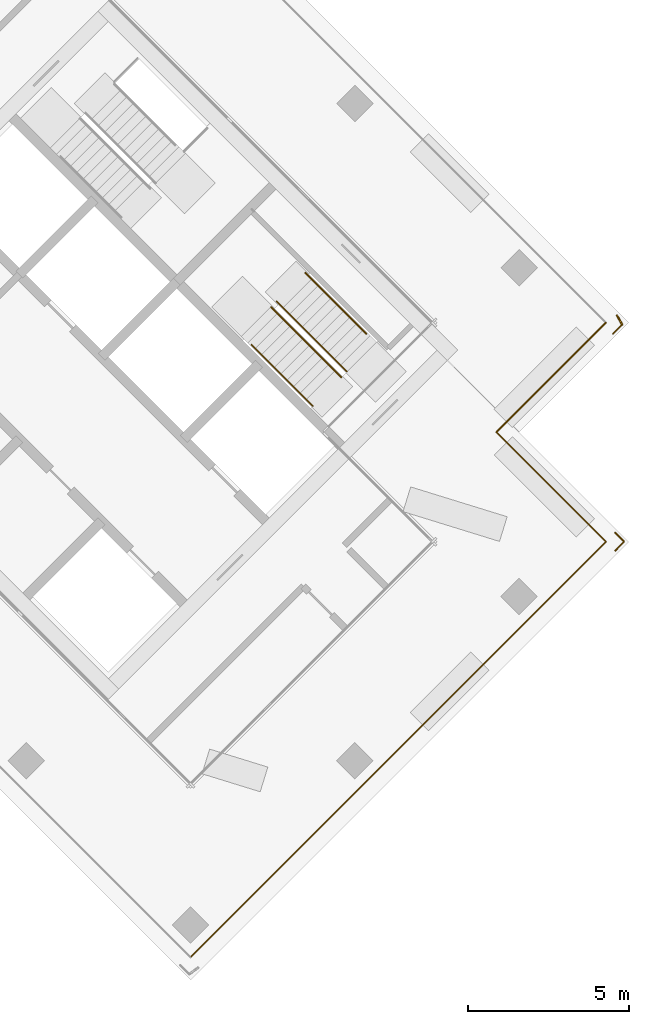
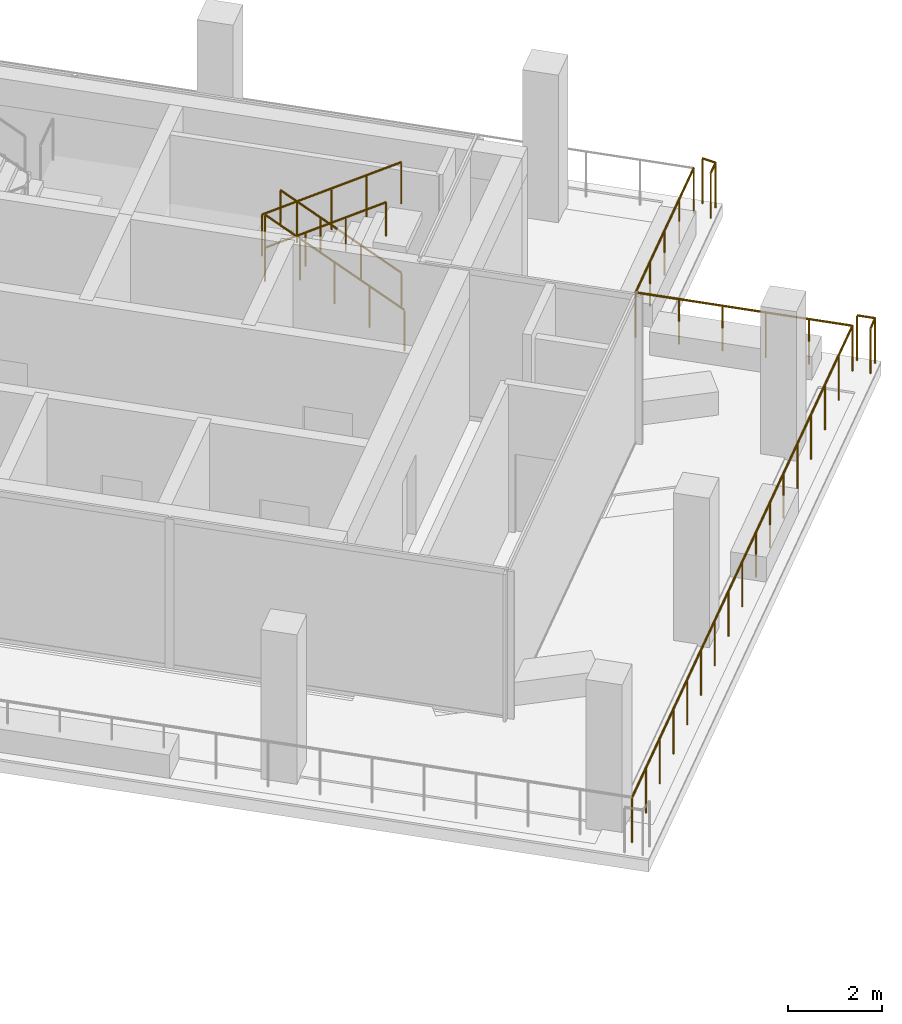
# One storey, part 20 of 20: 11 railings.
"""IFC4 building model written with IfcOpenShell, lengths in metres."""

from ifc_helpers import new_model, si_unit, direction, frame, origin, origin_2d, place, context, subcontext, project, spatial, circle, extrude, material, type_object, element, save


model = new_model("IFC4")

# Units and contexts
model_context = context("Model", 3, precision=1e-05, world=origin(), true_north=direction((0.0, 1.0)))
body_context = subcontext(model_context, "Body", "Model", "MODEL_VIEW")
ifc_project = project(units=[si_unit("LENGTHUNIT", "METRE"), si_unit("AREAUNIT", "SQUARE_METRE"), si_unit("VOLUMEUNIT", "CUBIC_METRE"), si_unit("PLANEANGLEUNIT", "RADIAN"), si_unit("MASSUNIT", "GRAM", prefix="KILO")], contexts=[model_context])

# Site, building, storey
site_placement = place(None, origin())
site = spatial("IfcSite", under=ifc_project, at=site_placement, CompositionType="ELEMENT")
building_placement = place(site_placement, origin())
building = spatial("IfcBuilding", under=site, at=building_placement, Name="Windrow Commons", CompositionType="ELEMENT")
storey_placement = place(building_placement, frame((0.0, 0.0, 239.6)))
storey = spatial("IfcBuildingStorey", under=building, at=storey_placement, Name="L65", CompositionType="ELEMENT", Elevation=239.6)

# Railings
ifc_material_1 = material(Name="Steel S355", Category="steel")
railing_type_1 = type_object("IfcRailingType", Name="Core stair guard 1100", PredefinedType="GUARDRAIL", material=ifc_material_1)
railing_1_placement = place(storey_placement, frame((94.2296, 48.4215, 0.175)))
element("IfcRailing", 1, at=railing_1_placement, inside=storey, type_object=railing_type_1, Name="L65 ST-B2 stair guard 1", PredefinedType="GUARDRAIL", context=body_context, shape_type="SweptSolid", body=[
    extrude(circle(Radius=0.024, at=origin_2d()), frame((0.0, 0.0, 1.076), z_axis=(-0.5996262107, 0.5996262107, 0.5299969951), x_axis=(-0.7071067812, -0.7071067812, 0.0)), (0.0, 0.0, 1.0), 3.6321),
    extrude(circle(Radius=0.021, at=origin_2d()), origin(), (0.0, 0.0, 1.0), 1.052),
    extrude(circle(Radius=0.021, at=origin_2d()), frame((-0.5445, 0.5445, 0.4812)), (0.0, 0.0, 1.0), 1.052),
    extrude(circle(Radius=0.021, at=origin_2d()), frame((-1.089, 1.089, 0.9625)), (0.0, 0.0, 1.0), 1.052),
    extrude(circle(Radius=0.021, at=origin_2d()), frame((-1.6334, 1.6334, 1.4437)), (0.0, 0.0, 1.0), 1.052),
    extrude(circle(Radius=0.021, at=origin_2d()), frame((-2.1779, 2.1779, 1.925)), (0.0, 0.0, 1.0), 1.052),
])
railing_2_placement = place(storey_placement, frame((91.8749, 50.4226, 2.275)))
element("IfcRailing", 2, at=railing_2_placement, inside=storey, type_object=railing_type_1, Name="L65 ST-B2 stair guard 2", PredefinedType="GUARDRAIL", context=body_context, shape_type="SweptSolid", body=[
    extrude(circle(Radius=0.024, at=origin_2d()), frame((0.0, 0.0, 1.076), z_axis=(0.5996262107, -0.5996262107, 0.5299969951), x_axis=(0.7071067812, 0.7071067812, 0.0)), (0.0, 0.0, 1.0), 3.6321),
    extrude(circle(Radius=0.021, at=origin_2d()), origin(), (0.0, 0.0, 1.0), 1.052),
    extrude(circle(Radius=0.021, at=origin_2d()), frame((0.5445, -0.5445, 0.4813)), (0.0, 0.0, 1.0), 1.052),
    extrude(circle(Radius=0.021, at=origin_2d()), frame((1.089, -1.089, 0.9625)), (0.0, 0.0, 1.0), 1.052),
    extrude(circle(Radius=0.021, at=origin_2d()), frame((1.6334, -1.6334, 1.4438)), (0.0, 0.0, 1.0), 1.052),
    extrude(circle(Radius=0.021, at=origin_2d()), frame((2.1779, -2.1779, 1.925)), (0.0, 0.0, 1.0), 1.052),
])
ifc_material_2 = material(Name="Steel S355", Category="steel")
railing_type_2 = type_object("IfcRailingType", Name="Core stair handrail 900", PredefinedType="HANDRAIL", material=ifc_material_2)
railing_3_placement = place(storey_placement, frame((94.8306, 49.5883, 0.425)))
element("IfcRailing", 3, at=railing_3_placement, inside=storey, type_object=railing_type_2, Name="L65 ST-B2 stair handrail 1", PredefinedType="HANDRAIL", context=body_context, shape_type="SweptSolid", body=[
    extrude(circle(Radius=0.024, at=origin_2d()), frame((0.0, 0.0, 0.876), z_axis=(-0.599641512, 0.5996098703, 0.5299981703), x_axis=(-0.7070881243, -0.7071254376, 0.0)), (0.0, 0.0, 1.0), 3.1604),
    extrude(circle(Radius=0.021, at=origin_2d()), origin(), (0.0, 0.0, 1.0), 0.852),
    extrude(circle(Radius=0.021, at=origin_2d()), frame((-0.6317, 0.6317, 0.5583)), (0.0, 0.0, 1.0), 0.852),
    extrude(circle(Radius=0.021, at=origin_2d()), frame((-1.2634, 1.2633, 1.1167)), (0.0, 0.0, 1.0), 0.852),
    extrude(circle(Radius=0.021, at=origin_2d()), frame((-1.8951, 1.895, 1.675)), (0.0, 0.0, 1.0), 0.852),
])
railing_4_placement = place(storey_placement, frame((91.2738, 49.2559, 2.525)))
element("IfcRailing", 4, at=railing_4_placement, inside=storey, type_object=railing_type_2, Name="L65 ST-B2 stair handrail 2", PredefinedType="HANDRAIL", context=body_context, shape_type="SweptSolid", body=[
    extrude(circle(Radius=0.024, at=origin_2d()), frame((0.0, 0.0, 0.876), z_axis=(0.599641512, -0.5996098703, 0.5299981703), x_axis=(0.7070881243, 0.7071254376, 0.0)), (0.0, 0.0, 1.0), 3.1604),
    extrude(circle(Radius=0.021, at=origin_2d()), origin(), (0.0, 0.0, 1.0), 0.852),
    extrude(circle(Radius=0.021, at=origin_2d()), frame((0.6317, -0.6317, 0.5583)), (0.0, 0.0, 1.0), 0.852),
    extrude(circle(Radius=0.021, at=origin_2d()), frame((1.2634, -1.2633, 1.1167)), (0.0, 0.0, 1.0), 0.852),
    extrude(circle(Radius=0.021, at=origin_2d()), frame((1.8951, -1.895, 1.675)), (0.0, 0.0, 1.0), 0.852),
])
ifc_material_3 = material(Name="Stainless steel S316 balustrade with toughened glass infill", Category="steel")
railing_type_3 = type_object("IfcRailingType", Name="Terrace guard 1200 podium", PredefinedType="BALUSTRADE", material=ifc_material_3)
railing_5_placement = place(storey_placement, frame((102.2517, 49.9383, 0.05)))
element("IfcRailing", 5, at=railing_5_placement, inside=storey, type_object=railing_type_3, Name="Guard TR-L65-1.E11", PredefinedType="BALUSTRADE", context=body_context, shape_type="SweptSolid", body=[
    extrude(circle(Radius=0.025, at=origin_2d()), frame((0.0, 0.0, 1.175), z_axis=(-0.7071067812, -0.7071067812, 0.0), x_axis=(0.7071067812, -0.7071067812, 0.0)), (0.0, 0.0, 1.0), 4.8),
    extrude(circle(Radius=0.02, at=origin_2d()), origin(), (0.0, 0.0, 1.0), 1.15),
    extrude(circle(Radius=0.02, at=origin_2d()), frame((-0.8485, -0.8485, 0.0)), (0.0, 0.0, 1.0), 1.15),
    extrude(circle(Radius=0.02, at=origin_2d()), frame((-1.697, -1.6971, 0.0)), (0.0, 0.0, 1.0), 1.15),
    extrude(circle(Radius=0.02, at=origin_2d()), frame((-2.5456, -2.5456, 0.0)), (0.0, 0.0, 1.0), 1.15),
    extrude(circle(Radius=0.02, at=origin_2d()), frame((-3.3941, -3.3941, 0.0)), (0.0, 0.0, 1.0), 1.15),
])
railing_6_placement = place(storey_placement, frame((98.8576, 46.5442, 0.05)))
element("IfcRailing", 6, at=railing_6_placement, inside=storey, type_object=railing_type_3, Name="Guard TR-L65-1.E12", PredefinedType="BALUSTRADE", context=body_context, shape_type="SweptSolid", body=[
    extrude(circle(Radius=0.025, at=origin_2d()), frame((0.0, 0.0, 1.175), z_axis=(0.7070963646, -0.7071171977, 0.0), x_axis=(0.7071171977, 0.7070963646, 0.0)), (0.0, 0.0, 1.0), 4.8001),
    extrude(circle(Radius=0.02, at=origin_2d()), origin(), (0.0, 0.0, 1.0), 1.15),
    extrude(circle(Radius=0.02, at=origin_2d()), frame((0.6788, -0.6788, 0.0)), (0.0, 0.0, 1.0), 1.15),
    extrude(circle(Radius=0.02, at=origin_2d()), frame((1.3576, -1.3577, 0.0)), (0.0, 0.0, 1.0), 1.15),
    extrude(circle(Radius=0.02, at=origin_2d()), frame((2.0365, -2.0365, 0.0)), (0.0, 0.0, 1.0), 1.15),
    extrude(circle(Radius=0.02, at=origin_2d()), frame((2.7153, -2.7154, 0.0)), (0.0, 0.0, 1.0), 1.15),
    extrude(circle(Radius=0.02, at=origin_2d()), frame((3.3941, -3.3942, 0.0)), (0.0, 0.0, 1.0), 1.15),
])
railing_7_placement = place(storey_placement, frame((102.2517, 43.15, 0.05)))
element("IfcRailing", 7, at=railing_7_placement, inside=storey, type_object=railing_type_3, Name="Guard TR-L65-1.E13", PredefinedType="BALUSTRADE", context=body_context, shape_type="SweptSolid", body=[
    extrude(circle(Radius=0.025, at=origin_2d()), frame((0.0, 0.0, 1.175), z_axis=(-0.7071095284, -0.7071040339, 0.0), x_axis=(0.7071040339, -0.7071095284, 0.0)), (0.0, 0.0, 1.0), 18.2),
    extrude(circle(Radius=0.02, at=origin_2d()), origin(), (0.0, 0.0, 1.0), 1.15),
    extrude(circle(Radius=0.02, at=origin_2d()), frame((-0.8043, -0.8043, 0.0)), (0.0, 0.0, 1.0), 1.15),
    extrude(circle(Radius=0.02, at=origin_2d()), frame((-1.6087, -1.6087, 0.0)), (0.0, 0.0, 1.0), 1.15),
    extrude(circle(Radius=0.02, at=origin_2d()), frame((-2.413, -2.413, 0.0)), (0.0, 0.0, 1.0), 1.15),
    extrude(circle(Radius=0.02, at=origin_2d()), frame((-3.2173, -3.2173, 0.0)), (0.0, 0.0, 1.0), 1.15),
    extrude(circle(Radius=0.02, at=origin_2d()), frame((-4.0217, -4.0217, 0.0)), (0.0, 0.0, 1.0), 1.15),
    extrude(circle(Radius=0.02, at=origin_2d()), frame((-4.826, -4.826, 0.0)), (0.0, 0.0, 1.0), 1.15),
    extrude(circle(Radius=0.02, at=origin_2d()), frame((-5.6304, -5.6303, 0.0)), (0.0, 0.0, 1.0), 1.15),
    extrude(circle(Radius=0.02, at=origin_2d()), frame((-6.4347, -6.4346, 0.0)), (0.0, 0.0, 1.0), 1.15),
    extrude(circle(Radius=0.02, at=origin_2d()), frame((-7.239, -7.239, 0.0)), (0.0, 0.0, 1.0), 1.15),
    extrude(circle(Radius=0.02, at=origin_2d()), frame((-8.0434, -8.0433, 0.0)), (0.0, 0.0, 1.0), 1.15),
    extrude(circle(Radius=0.02, at=origin_2d()), frame((-8.8477, -8.8476, 0.0)), (0.0, 0.0, 1.0), 1.15),
    extrude(circle(Radius=0.02, at=origin_2d()), frame((-9.652, -9.652, 0.0)), (0.0, 0.0, 1.0), 1.15),
    extrude(circle(Radius=0.02, at=origin_2d()), frame((-10.4564, -10.4563, 0.0)), (0.0, 0.0, 1.0), 1.15),
    extrude(circle(Radius=0.02, at=origin_2d()), frame((-11.2607, -11.2606, 0.0)), (0.0, 0.0, 1.0), 1.15),
    extrude(circle(Radius=0.02, at=origin_2d()), frame((-12.0651, -12.065, 0.0)), (0.0, 0.0, 1.0), 1.15),
    extrude(circle(Radius=0.02, at=origin_2d()), frame((-12.8694, -12.8693, 0.0)), (0.0, 0.0, 1.0), 1.15),
])
railing_8_placement = place(storey_placement, frame((102.5296, 43.4378, 0.05)))
element("IfcRailing", 8, at=railing_8_placement, inside=storey, type_object=railing_type_3, Name="Guard TR-L65-1.C220", PredefinedType="BALUSTRADE", context=body_context, shape_type="SweptSolid", body=[
    extrude(circle(Radius=0.025, at=origin_2d()), frame((0.0, 0.0, 1.175), z_axis=(0.7069819058, -0.7072316345, 0.0), x_axis=(0.7072316345, 0.7069819058, 0.0)), (0.0, 0.0, 1.0), 0.4004),
    extrude(circle(Radius=0.02, at=origin_2d()), origin(), (0.0, 0.0, 1.0), 1.15),
    extrude(circle(Radius=0.02, at=origin_2d()), frame((0.2831, -0.2832, 0.0)), (0.0, 0.0, 1.0), 1.15),
])
railing_9_placement = place(storey_placement, frame((102.8127, 43.1546, 0.05)))
element("IfcRailing", 9, at=railing_9_placement, inside=storey, type_object=railing_type_3, Name="Guard TR-L65-1.C221", PredefinedType="BALUSTRADE", context=body_context, shape_type="SweptSolid", body=[
    extrude(circle(Radius=0.025, at=origin_2d()), frame((0.0, 0.0, 1.175), z_axis=(-0.6952014592, -0.7188149492, 0.0), x_axis=(0.7188149492, -0.6952014592, 0.0)), (0.0, 0.0, 1.0), 0.3938),
    extrude(circle(Radius=0.02, at=origin_2d()), origin(), (0.0, 0.0, 1.0), 1.15),
    extrude(circle(Radius=0.02, at=origin_2d()), frame((-0.2738, -0.2831, 0.0)), (0.0, 0.0, 1.0), 1.15),
])
railing_10_placement = place(storey_placement, frame((102.5948, 50.1608, 0.05)))
element("IfcRailing", 10, at=railing_10_placement, inside=storey, type_object=railing_type_3, Name="Guard TR-L65-1.C222", PredefinedType="BALUSTRADE", context=body_context, shape_type="SweptSolid", body=[
    extrude(circle(Radius=0.025, at=origin_2d()), frame((0.0, 0.0, 1.175), z_axis=(0.4966671154, -0.8679411135, 0.0), x_axis=(0.8679411135, 0.4966671154, 0.0)), (0.0, 0.0, 1.0), 0.3262),
    extrude(circle(Radius=0.02, at=origin_2d()), origin(), (0.0, 0.0, 1.0), 1.15),
    extrude(circle(Radius=0.02, at=origin_2d()), frame((0.162, -0.2831, 0.0)), (0.0, 0.0, 1.0), 1.15),
])
railing_11_placement = place(storey_placement, frame((102.7568, 49.8777, 0.05)))
element("IfcRailing", 11, at=railing_11_placement, inside=storey, type_object=railing_type_3, Name="Guard TR-L65-1.C223", PredefinedType="BALUSTRADE", context=body_context, shape_type="SweptSolid", body=[
    extrude(circle(Radius=0.025, at=origin_2d()), frame((0.0, 0.0, 1.175), z_axis=(-0.7071067812, -0.7071067812, 0.0), x_axis=(0.7071067812, -0.7071067812, 0.0)), (0.0, 0.0, 1.0), 0.4004),
    extrude(circle(Radius=0.02, at=origin_2d()), origin(), (0.0, 0.0, 1.0), 1.15),
    extrude(circle(Radius=0.02, at=origin_2d()), frame((-0.2831, -0.2831, 0.0)), (0.0, 0.0, 1.0), 1.15),
])

save(model, "model.ifc")
